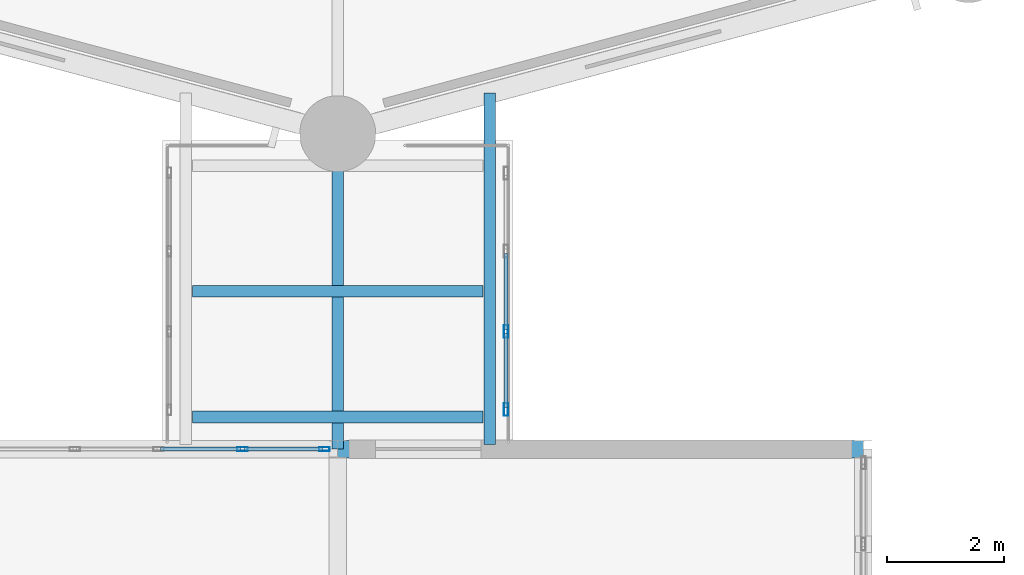
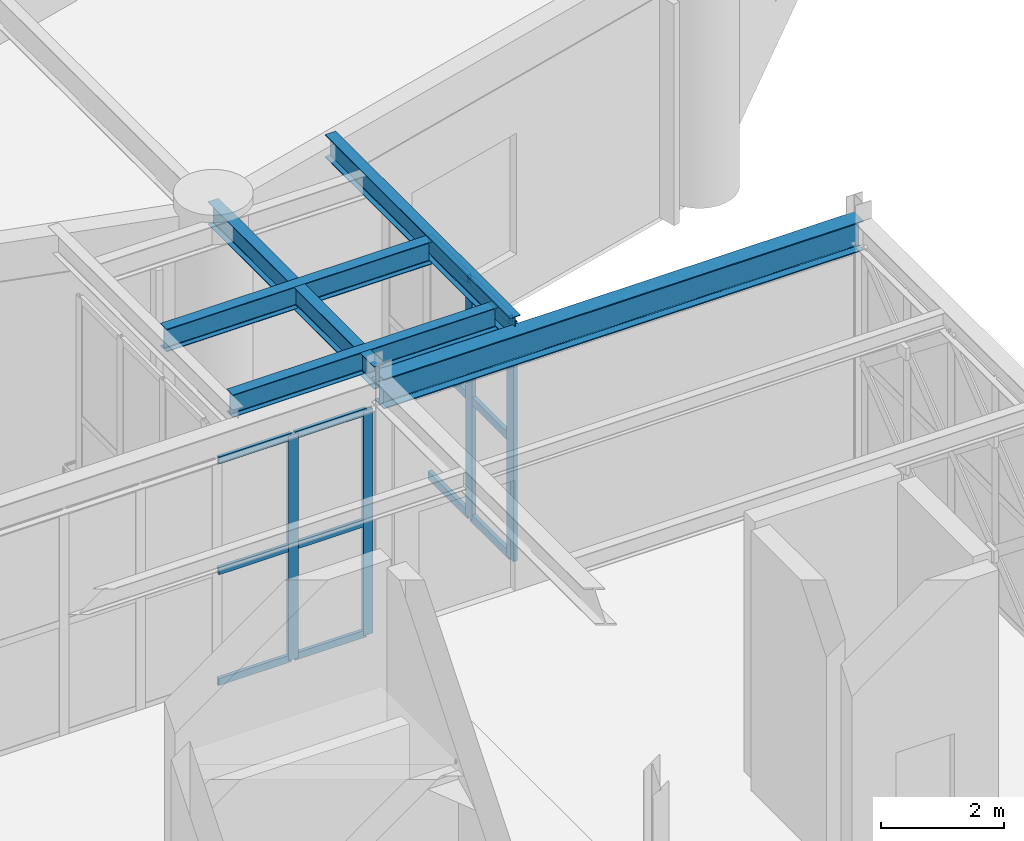
# One storey, part 44 of 155: 16 members, 5 beams, 2 elements without a shape of their own.
"""IFC4 building model written with IfcOpenShell, lengths in metres."""

import ifcopenshell
import ifcopenshell.guid

model = None  # the IFC model being written
_history = None  # IfcOwnerHistory: only IFC2X3 demands one
_inside = {}  # id of a spatial element -> (the spatial element, [elements in it])
_under = {}  # id of a project, library or spatial element -> (it, [spatial elements below it])
_declared = {}  # id of a project -> (the project, [libraries it declares])
_typed = {}  # id of a type object -> (the type object, [elements of that type])
_made_of = {}  # id of a material, layer set ... -> (it, [elements and type objects made of it])


def new_model(schema):
    """Start an empty IFC model of exactly this schema.

    Asked for "IFC4X3", IfcOpenShell would pick the latest addendum, in which some entities
    have other attributes; the version numbers below select the first issue.
    IFC2X3 requires an IfcOwnerHistory on every rooted entity: one is made here for all.
    """
    global model, _history
    if schema == "IFC4X3":
        model = ifcopenshell.file(schema_version=(4, 3, 0, 0))
    else:
        model = ifcopenshell.file(schema=schema)
    _inside.clear()
    _under.clear()
    _declared.clear()
    _typed.clear()
    _made_of.clear()
    _history = None
    if model.schema == "IFC2X3":
        org = make("IfcOrganization", Name="unknown")
        user = make(
            "IfcPersonAndOrganization",
            ThePerson=make("IfcPerson", FamilyName="unknown"),
            TheOrganization=org,
        )
        app = make(
            "IfcApplication",
            ApplicationDeveloper=org,
            Version="unknown",
            ApplicationFullName="unknown",
            ApplicationIdentifier="unknown",
        )
        _history = make(
            "IfcOwnerHistory",
            OwningUser=user,
            OwningApplication=app,
            ChangeAction="ADDED",
            CreationDate=0,
        )
    return model


def make(cls, **values):
    """One entity of the class cls with the attributes given. An attribute that is None is left unset."""
    return model.create_entity(
        cls, **{name: value for name, value in values.items() if value is not None}
    )


def rooted(cls, **values):
    """An entity with a GlobalId (a new one), such as an element, a storey or a relation."""
    return make(cls, GlobalId=ifcopenshell.guid.new(), OwnerHistory=_history, **values)


def si_unit(unit_type, name, prefix=None):
    """IfcSIUnit, for example si_unit("LENGTHUNIT", "METRE", prefix="MILLI")."""
    return make("IfcSIUnit", UnitType=unit_type, Prefix=prefix, Name=name)


def assignment(units):
    """IfcUnitAssignment: the units of a project."""
    return None if units is None else make("IfcUnitAssignment", Units=units)


def point(xyz):
    """IfcCartesianPoint."""
    return None if xyz is None else make("IfcCartesianPoint", Coordinates=xyz)


def direction(xyz):
    """IfcDirection."""
    return None if xyz is None else make("IfcDirection", DirectionRatios=xyz)


def frame(location, z_axis=None, x_axis=None):
    """IfcAxis2Placement3D, a coordinate frame: its origin and axes. An axis left out is left unset."""
    return make(
        "IfcAxis2Placement3D",
        Location=point(location),
        Axis=direction(z_axis),
        RefDirection=direction(x_axis),
    )


def frame_2d(location, x_axis=None):
    """IfcAxis2Placement2D, a coordinate frame in the plane: its origin and x axis."""
    return make(
        "IfcAxis2Placement2D", Location=point(location), RefDirection=direction(x_axis)
    )


def origin():
    """The frame at (0, 0, 0) with its axes left unset."""
    return frame((0.0, 0.0, 0.0))


def origin_2d():
    """The frame at (0, 0) in the plane with its x axis left unset."""
    return frame_2d((0.0, 0.0))


def place(relative_to, where):
    """IfcLocalPlacement: puts the frame where relative to a parent placement (None: the world)."""
    return make(
        "IfcLocalPlacement", PlacementRelTo=relative_to, RelativePlacement=where
    )


def context(
    kind, dimensions, precision=None, world=None, true_north=None, identifier=None
):
    """IfcGeometricRepresentationContext, for example the 3D "Model" context."""
    return make(
        "IfcGeometricRepresentationContext",
        ContextIdentifier=identifier,
        ContextType=kind,
        CoordinateSpaceDimension=dimensions,
        Precision=precision,
        WorldCoordinateSystem=world,
        TrueNorth=true_north,
    )


def subcontext(parent, identifier, kind, view, scale=None):
    """IfcGeometricRepresentationSubContext, for example "Body" below "Model"."""
    return make(
        "IfcGeometricRepresentationSubContext",
        ContextIdentifier=identifier,
        ContextType=kind,
        ParentContext=parent,
        TargetScale=scale,
        TargetView=view,
    )


def project(units=None, contexts=None):
    """IfcProject with its units and contexts."""
    return rooted(
        "IfcProject",
        Name="project",
        RepresentationContexts=contexts,
        UnitsInContext=assignment(units),
    )


def spatial(cls, under=None, at=None, **own):
    """A site, building, storey or space (cls), placed at a placement, below another one or the project."""
    s = rooted(cls, ObjectPlacement=at, **own)
    if under is not None:
        _under.setdefault(under.id(), (under, []))[1].append(s)
    return s


def profile(cls, at=None, kind="AREA", **sizes):
    """A parametric profile (cls). Its sizes go by their IFC names, for example OverallWidth=200.0."""
    return make(cls, ProfileType=kind, Position=at, **sizes)


def hollow_rectangle(**sizes):
    """IfcRectangleHollowProfileDef."""
    return profile("IfcRectangleHollowProfileDef", **sizes)


def i_section(**sizes):
    """IfcIShapeProfileDef."""
    return profile("IfcIShapeProfileDef", **sizes)


def extrude(swept, where, along, depth):
    """IfcExtrudedAreaSolid: the profile swept, set in the frame where, extruded along a direction by depth."""
    return make(
        "IfcExtrudedAreaSolid",
        SweptArea=swept,
        Position=where,
        ExtrudedDirection=direction(along),
        Depth=depth,
    )


def shape(context_of_items, identifier, shape_type, items):
    """IfcShapeRepresentation: the items that make up one representation, for example the "Body"."""
    return make(
        "IfcShapeRepresentation",
        ContextOfItems=context_of_items,
        RepresentationIdentifier=identifier,
        RepresentationType=shape_type,
        Items=items,
    )


def material(Name=None, Category=None):
    """IfcMaterial."""
    return make("IfcMaterial", Name=Name, Category=Category)


def material_profile(
    of_material, cross_section, Name=None, Category=None, Priority=None
):
    """IfcMaterialProfile: a cross section and its material."""
    return make(
        "IfcMaterialProfile",
        Name=Name,
        Material=of_material,
        Profile=cross_section,
        Priority=Priority,
        Category=Category,
    )


def profile_set(profiles, Name=None, composite=None):
    """IfcMaterialProfileSet."""
    return make(
        "IfcMaterialProfileSet",
        Name=Name,
        MaterialProfiles=profiles,
        CompositeProfile=composite,
    )


def made_of(thing, what):
    """Note that an element or type object is made of a material, layer set ...; save() writes the relation."""
    if what is not None:
        _made_of.setdefault(what.id(), (what, []))[1].append(thing)
    return thing


def type_object(cls, material=None, **own):
    """A type object (cls), such as IfcWallType, which elements share."""
    return made_of(rooted(cls, **own), material)


def element(
    cls,
    number,
    at=None,
    inside=None,
    cuts=None,
    type_object=None,
    material=None,
    context=None,
    identifier="Body",
    shape_type=None,
    held_by="IfcProductDefinitionShape",
    body=None,
    shapes=None,
    **own,
):
    """One element of the class cls, such as IfcWall. Its Tag is "e" and its number.

    at: its placement. inside: the storey or other place that contains it. cuts: it is an
    opening in that element (IfcRelVoidsElement). A single representation is given by context,
    identifier, shape_type and body (its items); several are given by shapes. held_by: the class
    of the entity that holds the representations. save() writes the other relations.
    """
    e = rooted(cls, Tag="e%d" % number, ObjectPlacement=at, **own)
    if body is not None:
        shapes = [shape(context, identifier, shape_type, body)]
    if shapes is not None:
        e.Representation = make(held_by, Representations=shapes)
    if inside is not None:
        _inside.setdefault(inside.id(), (inside, []))[1].append(e)
    if cuts is not None:
        rooted(
            "IfcRelVoidsElement", RelatingBuildingElement=cuts, RelatedOpeningElement=e
        )
    if type_object is not None:
        _typed.setdefault(type_object.id(), (type_object, []))[1].append(e)
    return made_of(e, material)


def aggregate(whole, parts):
    """IfcRelAggregates: a whole, such as a stair, and the parts it consists of."""
    return rooted("IfcRelAggregates", RelatingObject=whole, RelatedObjects=parts)


def save(model, path):
    """Write the relations noted so far, then the file.

    IfcRelAggregates (storeys below a building ...), IfcRelContainedInSpatialStructure (elements
    in a storey), IfcRelDefinesByType, IfcRelAssociatesMaterial and IfcRelDeclares: one each for
    every whole, place, type object, material and project.
    """
    for whole, parts in _under.values():
        aggregate(whole, parts)
    for where, things in _inside.values():
        rooted(
            "IfcRelContainedInSpatialStructure",
            RelatedElements=things,
            RelatingStructure=where,
        )
    for kind, things in _typed.values():
        rooted("IfcRelDefinesByType", RelatedObjects=things, RelatingType=kind)
    for what, things in _made_of.values():
        rooted("IfcRelAssociatesMaterial", RelatedObjects=things, RelatingMaterial=what)
    for by, libraries in _declared.values():
        rooted("IfcRelDeclares", RelatingContext=by, RelatedDefinitions=libraries)
    model.write(path)


model = new_model("IFC4")

# Units and contexts
model_context = context("Model", 3, precision=1e-05, world=origin(), true_north=direction((0.0, 1.0)))
body_context = subcontext(model_context, "Body", "Model", "MODEL_VIEW")
ifc_project = project(units=[si_unit("LENGTHUNIT", "METRE"), si_unit("AREAUNIT", "SQUARE_METRE"), si_unit("VOLUMEUNIT", "CUBIC_METRE"), si_unit("PLANEANGLEUNIT", "RADIAN"), si_unit("MASSUNIT", "GRAM", prefix="KILO")], contexts=[model_context])

# Site, building, storey
site_placement = place(None, origin())
site = spatial("IfcSite", under=ifc_project, at=site_placement, CompositionType="ELEMENT")
building_placement = place(site_placement, origin())
building = spatial("IfcBuilding", under=site, at=building_placement, Name="Haizhuo Lancet Aquarium", CompositionType="ELEMENT")
storey_placement = place(building_placement, frame((0.0, 0.0, 10.800048828125)))
storey = spatial("IfcBuildingStorey", under=building, at=storey_placement, Name="L02", CompositionType="ELEMENT", Elevation=10.800048828125)

# Beam
ifc_material_1 = material(Name="Steel S355", Category="steel")
ifc_material_profile_1 = material_profile(ifc_material_1, i_section(OverallWidth=0.300048828125, OverallDepth=0.587890625, WebThickness=0.011962890625, FlangeThickness=0.02001953125, FilletRadius=0.02587890625, at=origin_2d()), Name="HM 588x300x12x20")
ifc_profile_set_1 = profile_set([ifc_material_profile_1], Name="Steel S355")
beam_type_1 = type_object("IfcBeamType", Name="BM-ST-HM588", PredefinedType="BEAM", material=ifc_profile_set_1)
beam_1_placement = place(storey_placement, frame((0.0, -27.0, 4.755859375), z_axis=(1.0, 0.0, 0.0), x_axis=(0.0, 1.0, 0.0)))
element("IfcBeam", 1, at=beam_1_placement, inside=storey, type_object=beam_type_1, Name="L02 V4 primary girder BM-L02-V4-019", PredefinedType="BEAM", context=body_context, shape_type="SweptSolid", body=[
    extrude(i_section(OverallWidth=0.300048828125, OverallDepth=0.587890625, WebThickness=0.011962890625, FlangeThickness=0.02001953125, FilletRadius=0.02587890625, at=origin_2d()), origin(), (0.0, 0.0, 1.0), 9.0),
])

# Curtain wall, members
ifc_material_2 = material(Name="Aluminium 6063-T6", Category="aluminium")
curtain_wall_type_1 = type_object("IfcCurtainWallType", Name="CWO-8610x4460", PredefinedType="NOTDEFINED", material=ifc_material_2)
curtain_wall_1_placement = place(storey_placement, origin())
curtain_wall_1 = element("IfcCurtainWall", 2, at=curtain_wall_1_placement, inside=storey, type_object=curtain_wall_type_1, Name="L02 curtain wall CW-V4-L02-103", PredefinedType="NOTDEFINED")
ifc_material_profile_2 = material_profile(ifc_material_2, hollow_rectangle(XDim=0.06494140625, YDim=0.179931640625, WallThickness=0.00390625, at=origin_2d()), Name="ALU-M 65x180x4")
ifc_profile_set_2 = profile_set([ifc_material_profile_2], Name="Aluminium 6063-T6")
member_type_1 = type_object("IfcMemberType", Name="CW-MUL-1", PredefinedType="MULLION", material=ifc_profile_set_2)
member_1_placement = place(storey_placement, frame((-1.6298828125, -27.0, 0.0), z_axis=(0.0, 0.0, 1.0), x_axis=(0.0, 1.0, 0.0)))
member_1 = element("IfcMember", 3, at=member_1_placement, type_object=member_type_1, Name="CWO-86x44 mullion 6", PredefinedType="MULLION", context=body_context, shape_type="SweptSolid", body=[
    extrude(hollow_rectangle(XDim=0.06494140625, YDim=0.179931640625, WallThickness=0.00390625, at=origin_2d()), origin(), (0.0, 0.0, 1.0), 4.4619140625),
])
member_2_placement = place(storey_placement, frame((-0.22802734375, -27.0, 0.0), z_axis=(0.0, 0.0, 1.0), x_axis=(0.0, 1.0, 0.0)))
member_2 = element("IfcMember", 4, at=member_2_placement, type_object=member_type_1, Name="CWO-86x44 mullion 7", PredefinedType="MULLION", context=body_context, shape_type="SweptSolid", body=[
    extrude(hollow_rectangle(XDim=0.06494140625, YDim=0.179931640625, WallThickness=0.00390625, at=origin_2d()), origin(), (0.0, 0.0, 1.0), 4.4619140625),
])

curtain_wall_type_2 = type_object("IfcCurtainWallType", Name="CWO-4120x4750", PredefinedType="NOTDEFINED", material=ifc_material_2)
curtain_wall_2_placement = place(storey_placement, origin())
curtain_wall_2 = element("IfcCurtainWall", 5, at=curtain_wall_2_placement, inside=storey, type_object=curtain_wall_type_2, Name="L02 curtain wall CW-SB-04-E1", PredefinedType="NOTDEFINED")
ifc_material_profile_3 = material_profile(ifc_material_2, hollow_rectangle(XDim=0.074951171875, YDim=0.219970703125, WallThickness=0.0048828125, at=origin_2d()), Name="ALU-M 75x220x5")
ifc_profile_set_3 = profile_set([ifc_material_profile_3], Name="Aluminium 6063-T6")
member_type_2 = type_object("IfcMemberType", Name="CW-MUL-2", PredefinedType="MULLION", material=ifc_profile_set_3)
member_3_placement = place(storey_placement, frame((2.8798828125, -24.987060546875, 0.0), z_axis=(0.0, 0.0, 1.0), x_axis=(1.0, 0.0, 0.0)))
member_3 = element("IfcMember", 6, at=member_3_placement, type_object=member_type_2, Name="CWO-41x47 mullion 3", PredefinedType="MULLION", context=body_context, shape_type="SweptSolid", body=[
    extrude(hollow_rectangle(XDim=0.074951171875, YDim=0.219970703125, WallThickness=0.0048828125, at=origin_2d()), origin(), (0.0, 0.0, 1.0), 4.75),
])
member_4_placement = place(storey_placement, frame((2.8798828125, -26.322021484375, 0.0), z_axis=(0.0, 0.0, 1.0), x_axis=(1.0, 0.0, 0.0)))
member_4 = element("IfcMember", 7, at=member_4_placement, type_object=member_type_2, Name="CWO-41x47 mullion 4", PredefinedType="MULLION", context=body_context, shape_type="SweptSolid", body=[
    extrude(hollow_rectangle(XDim=0.074951171875, YDim=0.219970703125, WallThickness=0.0048828125, at=origin_2d()), origin(), (0.0, 0.0, 1.0), 4.75),
])

# Member
ifc_material_profile_4 = material_profile(ifc_material_2, hollow_rectangle(XDim=0.06494140625, YDim=0.139892578125, WallThickness=0.00390625, at=origin_2d()), Name="ALU-T 65x140x4")
ifc_profile_set_4 = profile_set([ifc_material_profile_4], Name="Aluminium 6063-T6")
member_type_3 = type_object("IfcMemberType", Name="CW-TRN-1", PredefinedType="NOTDEFINED", material=ifc_profile_set_4)
member_5_placement = place(storey_placement, frame((-3.032958984375, -27.0, 0.032958984375), z_axis=(1.0, 0.0, 0.0), x_axis=(0.0, 1.0, 0.0)))
member_5 = element("IfcMember", 8, at=member_5_placement, type_object=member_type_3, Name="CWO-86x44 transom 5.1", ObjectType="TRANSOM", PredefinedType="USERDEFINED", context=body_context, shape_type="SweptSolid", body=[
    extrude(hollow_rectangle(XDim=0.06494140625, YDim=0.139892578125, WallThickness=0.00390625, at=origin_2d()), origin(), (0.0, 0.0, 1.0), 1.369873046875),
])

member_6_placement = place(storey_placement, frame((-3.032958984375, -27.0, 2.23095703125), z_axis=(1.0, 0.0, 0.0), x_axis=(0.0, 1.0, 0.0)))
member_6 = element("IfcMember", 9, at=member_6_placement, type_object=member_type_3, Name="CWO-86x44 transom 5.2", ObjectType="TRANSOM", PredefinedType="USERDEFINED", context=body_context, shape_type="SweptSolid", body=[
    extrude(hollow_rectangle(XDim=0.06494140625, YDim=0.139892578125, WallThickness=0.00390625, at=origin_2d()), origin(), (0.0, 0.0, 1.0), 1.369873046875),
])

member_7_placement = place(storey_placement, frame((-3.032958984375, -27.0, 4.428955078125), z_axis=(1.0, 0.0, 0.0), x_axis=(0.0, 1.0, 0.0)))
member_7 = element("IfcMember", 10, at=member_7_placement, type_object=member_type_3, Name="CWO-86x44 transom 5.3", ObjectType="TRANSOM", PredefinedType="USERDEFINED", context=body_context, shape_type="SweptSolid", body=[
    extrude(hollow_rectangle(XDim=0.06494140625, YDim=0.139892578125, WallThickness=0.00390625, at=origin_2d()), origin(), (0.0, 0.0, 1.0), 1.369873046875),
])

member_8_placement = place(storey_placement, frame((-1.597900390625, -27.0, 0.032958984375), z_axis=(1.0, 0.0, 0.0), x_axis=(0.0, 1.0, 0.0)))
member_8 = element("IfcMember", 11, at=member_8_placement, type_object=member_type_3, Name="CWO-86x44 transom 6.1", ObjectType="TRANSOM", PredefinedType="USERDEFINED", context=body_context, shape_type="SweptSolid", body=[
    extrude(hollow_rectangle(XDim=0.06494140625, YDim=0.139892578125, WallThickness=0.00390625, at=origin_2d()), origin(), (0.0, 0.0, 1.0), 1.337890625),
])

member_9_placement = place(storey_placement, frame((-1.597900390625, -27.0, 2.23095703125), z_axis=(1.0, 0.0, 0.0), x_axis=(0.0, 1.0, 0.0)))
member_9 = element("IfcMember", 12, at=member_9_placement, type_object=member_type_3, Name="CWO-86x44 transom 6.2", ObjectType="TRANSOM", PredefinedType="USERDEFINED", context=body_context, shape_type="SweptSolid", body=[
    extrude(hollow_rectangle(XDim=0.06494140625, YDim=0.139892578125, WallThickness=0.00390625, at=origin_2d()), origin(), (0.0, 0.0, 1.0), 1.337890625),
])

member_10_placement = place(storey_placement, frame((-1.597900390625, -27.0, 4.428955078125), z_axis=(1.0, 0.0, 0.0), x_axis=(0.0, 1.0, 0.0)))
member_10 = element("IfcMember", 13, at=member_10_placement, type_object=member_type_3, Name="CWO-86x44 transom 6.3", ObjectType="TRANSOM", PredefinedType="USERDEFINED", context=body_context, shape_type="SweptSolid", body=[
    extrude(hollow_rectangle(XDim=0.06494140625, YDim=0.139892578125, WallThickness=0.00390625, at=origin_2d()), origin(), (0.0, 0.0, 1.0), 1.337890625),
])

aggregate(curtain_wall_1, [member_1, member_2, member_5, member_6, member_7, member_8, member_9, member_10])

ifc_material_profile_5 = material_profile(ifc_material_2, hollow_rectangle(XDim=0.074951171875, YDim=0.159912109375, WallThickness=0.00390625, at=origin_2d()), Name="ALU-T 75x160x4")
ifc_profile_set_5 = profile_set([ifc_material_profile_5], Name="Aluminium 6063-T6")
member_type_4 = type_object("IfcMemberType", Name="CW-TRN-2", PredefinedType="NOTDEFINED", material=ifc_profile_set_5)
member_11_placement = place(storey_placement, frame((2.8798828125, -23.65087890625, 0.037841796875), z_axis=(0.0, -1.0, 0.0), x_axis=(1.0, 0.0, 0.0)))
member_11 = element("IfcMember", 14, at=member_11_placement, type_object=member_type_4, Name="CWO-41x47 transom 2.1", ObjectType="TRANSOM", PredefinedType="USERDEFINED", context=body_context, shape_type="SweptSolid", body=[
    extrude(hollow_rectangle(XDim=0.074951171875, YDim=0.159912109375, WallThickness=0.00390625, at=origin_2d()), origin(), (0.0, 0.0, 1.0), 1.298095703125),
])

member_12_placement = place(storey_placement, frame((2.8798828125, -23.65087890625, 2.375), z_axis=(0.0, -1.0, 0.0), x_axis=(1.0, 0.0, 0.0)))
member_12 = element("IfcMember", 15, at=member_12_placement, type_object=member_type_4, Name="CWO-41x47 transom 2.2", ObjectType="TRANSOM", PredefinedType="USERDEFINED", context=body_context, shape_type="SweptSolid", body=[
    extrude(hollow_rectangle(XDim=0.074951171875, YDim=0.159912109375, WallThickness=0.00390625, at=origin_2d()), origin(), (0.0, 0.0, 1.0), 1.298095703125),
])

member_13_placement = place(storey_placement, frame((2.8798828125, -23.65087890625, 4.712890625), z_axis=(0.0, -1.0, 0.0), x_axis=(1.0, 0.0, 0.0)))
member_13 = element("IfcMember", 16, at=member_13_placement, type_object=member_type_4, Name="CWO-41x47 transom 2.3", ObjectType="TRANSOM", PredefinedType="USERDEFINED", context=body_context, shape_type="SweptSolid", body=[
    extrude(hollow_rectangle(XDim=0.074951171875, YDim=0.159912109375, WallThickness=0.00390625, at=origin_2d()), origin(), (0.0, 0.0, 1.0), 1.298095703125),
])

member_14_placement = place(storey_placement, frame((2.8798828125, -25.02392578125, 0.037841796875), z_axis=(0.0, -1.0, 0.0), x_axis=(1.0, 0.0, 0.0)))
member_14 = element("IfcMember", 17, at=member_14_placement, type_object=member_type_4, Name="CWO-41x47 transom 3.1", ObjectType="TRANSOM", PredefinedType="USERDEFINED", context=body_context, shape_type="SweptSolid", body=[
    extrude(hollow_rectangle(XDim=0.074951171875, YDim=0.159912109375, WallThickness=0.00390625, at=origin_2d()), origin(), (0.0, 0.0, 1.0), 1.260986328125),
])

member_15_placement = place(storey_placement, frame((2.8798828125, -25.02392578125, 2.375), z_axis=(0.0, -1.0, 0.0), x_axis=(1.0, 0.0, 0.0)))
member_15 = element("IfcMember", 18, at=member_15_placement, type_object=member_type_4, Name="CWO-41x47 transom 3.2", ObjectType="TRANSOM", PredefinedType="USERDEFINED", context=body_context, shape_type="SweptSolid", body=[
    extrude(hollow_rectangle(XDim=0.074951171875, YDim=0.159912109375, WallThickness=0.00390625, at=origin_2d()), origin(), (0.0, 0.0, 1.0), 1.260986328125),
])

member_16_placement = place(storey_placement, frame((2.8798828125, -25.02392578125, 4.712890625), z_axis=(0.0, -1.0, 0.0), x_axis=(1.0, 0.0, 0.0)))
member_16 = element("IfcMember", 19, at=member_16_placement, type_object=member_type_4, Name="CWO-41x47 transom 3.3", ObjectType="TRANSOM", PredefinedType="USERDEFINED", context=body_context, shape_type="SweptSolid", body=[
    extrude(hollow_rectangle(XDim=0.074951171875, YDim=0.159912109375, WallThickness=0.00390625, at=origin_2d()), origin(), (0.0, 0.0, 1.0), 1.260986328125),
])

aggregate(curtain_wall_2, [member_3, member_4, member_11, member_12, member_13, member_14, member_15, member_16])

# Beams
ifc_material_profile_6 = material_profile(ifc_material_1, i_section(OverallWidth=0.199951171875, OverallDepth=0.449951171875, WebThickness=0.009033203125, FlangeThickness=0.013916015625, FilletRadius=0.01806640625, at=origin_2d()), Name="HN 450x200x9x14")
ifc_profile_set_6 = profile_set([ifc_material_profile_6], Name="Steel S355")
beam_type_2 = type_object("IfcBeamType", Name="JST-ST-HN450", PredefinedType="JOIST", material=ifc_profile_set_6)
beam_2_placement = place(storey_placement, frame((0.0, -27.0, 5.02490234375), z_axis=(0.0, 1.0, 0.0), x_axis=(-1.0, 0.0, 0.0)))
element("IfcBeam", 20, at=beam_2_placement, inside=storey, type_object=beam_type_2, Name="Bridge roof longitudinal girder SB-04 1", PredefinedType="JOIST", context=body_context, shape_type="SweptSolid", body=[
    extrude(i_section(OverallWidth=0.199951171875, OverallDepth=0.449951171875, WebThickness=0.009033203125, FlangeThickness=0.013916015625, FilletRadius=0.01806640625, at=origin_2d()), origin(), (0.0, 0.0, 1.0), 5.39990234375),
])
beam_3_placement = place(storey_placement, frame((2.60009765625, -26.919921875, 5.02490234375), z_axis=(0.0, 1.0, 0.0), x_axis=(-1.0, 0.0, 0.0)))
element("IfcBeam", 21, at=beam_3_placement, inside=storey, type_object=beam_type_2, Name="Bridge roof edge beam SB-04 E", PredefinedType="JOIST", context=body_context, shape_type="SweptSolid", body=[
    extrude(i_section(OverallWidth=0.199951171875, OverallDepth=0.449951171875, WebThickness=0.009033203125, FlangeThickness=0.013916015625, FilletRadius=0.01806640625, at=origin_2d()), origin(), (0.0, 0.0, 1.0), 6.016845703125),
])
for number, where, z_axis, x_axis, name in (
    (22, (-2.489990234375, -26.449951171875, 5.02490234375), (1.0, 0.0, 0.0), (0.0, 1.0, 0.0), "Bridge roof cross tie SB-04 S"),
    (23, (-2.489990234375, -24.300048828125, 5.02490234375), (1.0, 0.0, 0.0), (0.0, 1.0, 0.0), "Bridge roof cross tie SB-04 M"),
):
    element("IfcBeam", number, at=place(storey_placement, frame(where, z_axis=z_axis, x_axis=x_axis)), inside=storey, type_object=beam_type_2, Name=name, PredefinedType="JOIST", context=body_context, shape_type="SweptSolid", body=[
        extrude(i_section(OverallWidth=0.199951171875, OverallDepth=0.449951171875, WebThickness=0.009033203125, FlangeThickness=0.013916015625, FilletRadius=0.01806640625, at=origin_2d()), origin(), (0.0, 0.0, 1.0), 4.97998046875),
    ])

save(model, "model.ifc")
